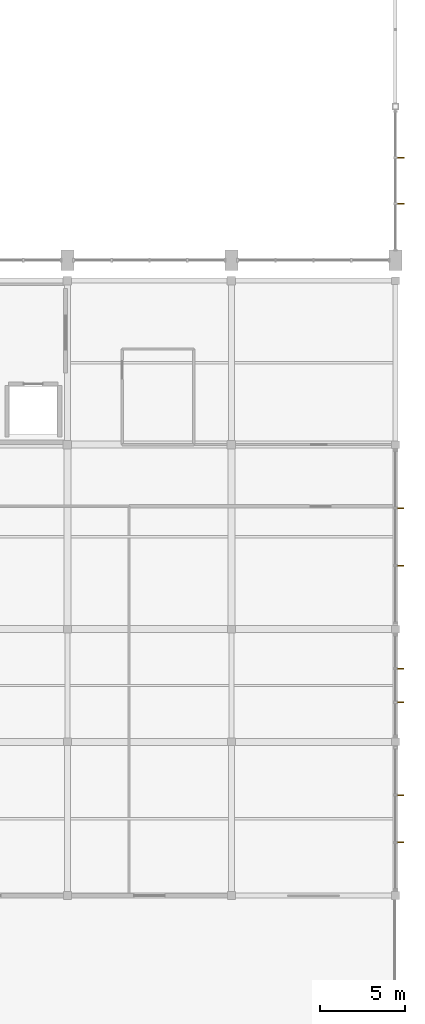
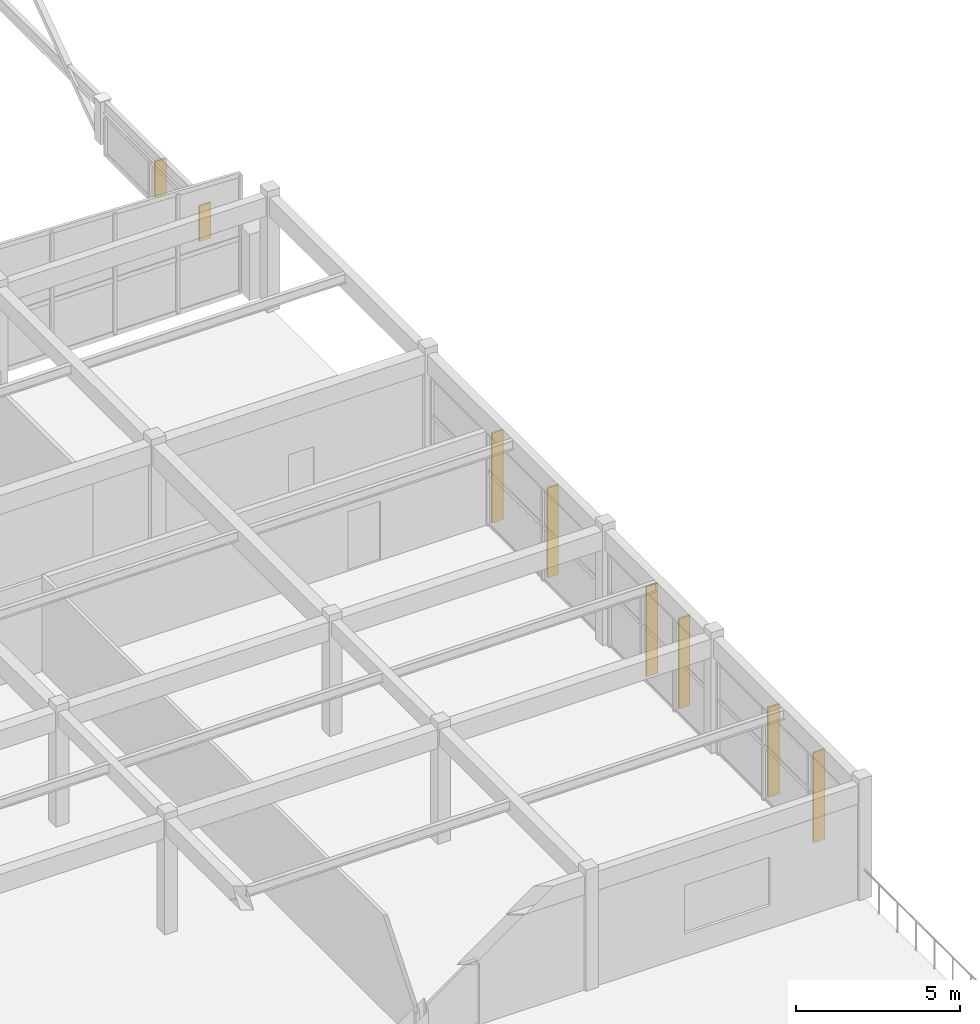
# One storey, part 86 of 89: 8 shading devices.
"""IFC4 building model written with IfcOpenShell, lengths in metres."""

from ifc_helpers import new_model, si_unit, direction, frame, origin, origin_2d, place, context, subcontext, project, spatial, rectangle, extrude, material, type_object, element, save


model = new_model("IFC4")

# Units and contexts
model_context = context("Model", 3, precision=1e-05, world=origin(), true_north=direction((0.0, 1.0)))
body_context = subcontext(model_context, "Body", "Model", "MODEL_VIEW")
ifc_project = project(units=[si_unit("LENGTHUNIT", "METRE"), si_unit("AREAUNIT", "SQUARE_METRE"), si_unit("VOLUMEUNIT", "CUBIC_METRE"), si_unit("PLANEANGLEUNIT", "RADIAN"), si_unit("MASSUNIT", "GRAM", prefix="KILO")], contexts=[model_context])

# Site, building, storey
site_placement = place(None, origin())
site = spatial("IfcSite", under=ifc_project, at=site_placement, CompositionType="ELEMENT")
building_placement = place(site_placement, origin())
building = spatial("IfcBuilding", under=site, at=building_placement, Name="Suirenkawa Promenade Aquatics Centre", CompositionType="ELEMENT")
storey_placement = place(building_placement, frame((0.0, 0.0, 9.60009765625)))
storey = spatial("IfcBuildingStorey", under=building, at=storey_placement, Name="L02", CompositionType="ELEMENT", Elevation=9.60009765625)

# Shading devices
ifc_material = material(Name="Anodised aluminium 6063-T6", Category="aluminium")
shading_device_type = type_object("IfcShadingDeviceType", Name="SDT-KOUSHI-400", PredefinedType="USERDEFINED", material=ifc_material)
for number, where, z_axis, x_axis, name in (
    (1, (194.701904296875, 56.400390625, -0.31005859375), (0.0, 0.0, 1.0), (1.0, 0.0, 0.0), "Vertical solar shading fin FN-01 FIN-0025"),
    (2, (194.701904296875, 53.69970703125, -0.31005859375), (0.0, 0.0, 1.0), (1.0, 0.0, 0.0), "Vertical solar shading fin FN-01 FIN-0026"),
):
    element("IfcShadingDevice", number, at=place(storey_placement, frame(where, z_axis=z_axis, x_axis=x_axis)), inside=storey, type_object=shading_device_type, Name=name, ObjectType="FIN", PredefinedType="USERDEFINED", context=body_context, shape_type="SweptSolid", body=[
        extrude(rectangle(XDim=0.39990234375, YDim=0.06005859375, at=origin_2d()), origin(), (0.0, 0.0, 1.0), 1.324951171875),
    ])
for number, where, z_axis, x_axis, name in (
    (3, (194.68701171875, 19.083740234375, 0.0400390625), (0.0, 0.0, 1.0), (1.0, 0.0, 0.0), "Vertical solar shading fin FN-01 FIN-0053"),
    (4, (194.68701171875, 16.31640625, 0.0400390625), (0.0, 0.0, 1.0), (1.0, 0.0, 0.0), "Vertical solar shading fin FN-01 FIN-0054"),
    (5, (194.68701171875, 26.483642578125, 0.0400390625), (0.0, 0.0, 1.0), (1.0, 0.0, 0.0), "Vertical solar shading fin FN-01 FIN-0057"),
    (6, (194.68701171875, 24.516357421875, 0.0400390625), (0.0, 0.0, 1.0), (1.0, 0.0, 0.0), "Vertical solar shading fin FN-01 FIN-0058"),
    (7, (194.68701171875, 35.8837890625, 0.0400390625), (0.0, 0.0, 1.0), (1.0, 0.0, 0.0), "Vertical solar shading fin FN-01 FIN-0061"),
    (8, (194.68701171875, 32.516357421875, 0.0400390625), (0.0, 0.0, 1.0), (1.0, 0.0, 0.0), "Vertical solar shading fin FN-01 FIN-0062"),
):
    element("IfcShadingDevice", number, at=place(storey_placement, frame(where, z_axis=z_axis, x_axis=x_axis)), inside=storey, type_object=shading_device_type, Name=name, ObjectType="FIN", PredefinedType="USERDEFINED", context=body_context, shape_type="SweptSolid", body=[
        extrude(rectangle(XDim=0.39990234375, YDim=0.06005859375, at=origin_2d()), origin(), (0.0, 0.0, 1.0), 3.340087890625),
    ])

save(model, "model.ifc")
